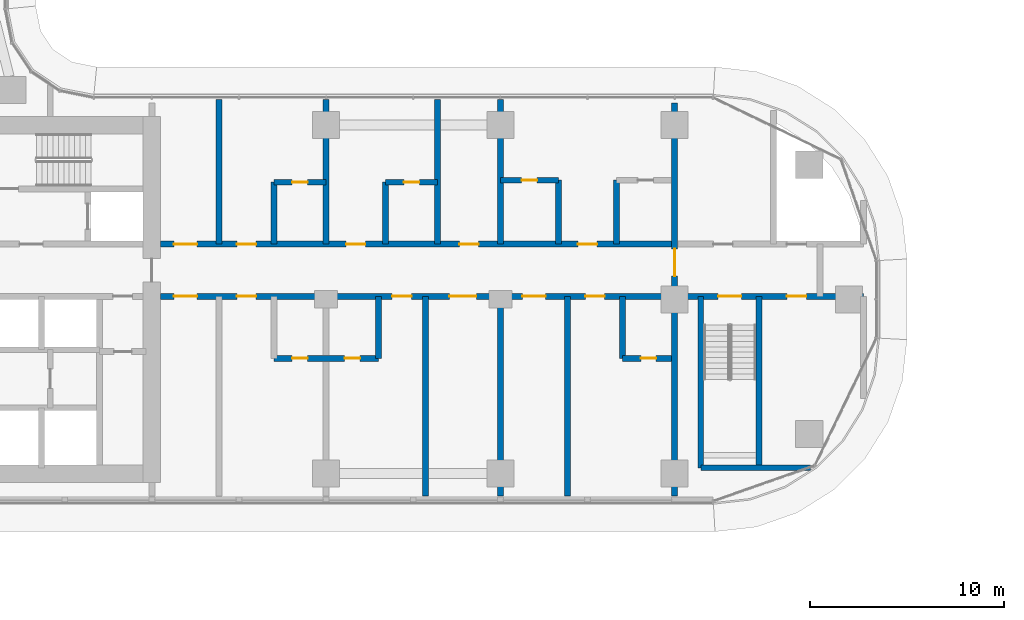
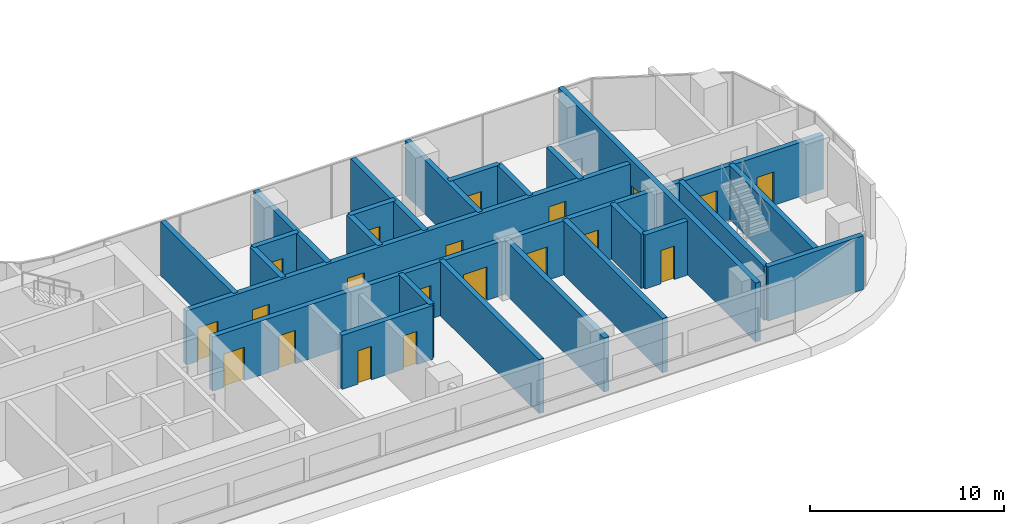
# One storey, part 18 of 36: 25 walls, 20 doors, 20 openings.
"""IFC4 building model written with IfcOpenShell, lengths in metres."""

from ifc_helpers import new_model, si_unit, direction, frame, frame_2d, origin, place, context, subcontext, project, spatial, rectangle, extrude, material, layer, layer_set, type_object, element, fill, save


model = new_model("IFC4")

# Units and contexts
model_context = context("Model", 3, precision=1e-05, world=origin(), true_north=direction((0.0, 1.0)))
body_context = subcontext(model_context, "Body", "Model", "MODEL_VIEW")
ifc_project = project(units=[si_unit("LENGTHUNIT", "METRE"), si_unit("AREAUNIT", "SQUARE_METRE"), si_unit("VOLUMEUNIT", "CUBIC_METRE"), si_unit("PLANEANGLEUNIT", "RADIAN"), si_unit("MASSUNIT", "GRAM", prefix="KILO")], contexts=[model_context])

# Site, building, storey
site_placement = place(None, origin())
site = spatial("IfcSite", under=ifc_project, at=site_placement, CompositionType="ELEMENT")
building_placement = place(site_placement, origin())
building = spatial("IfcBuilding", under=site, at=building_placement, Name="Ogive Portal Towers", CompositionType="ELEMENT")
storey_placement = place(building_placement, frame((0.0, 0.0, 70.5)))
storey = spatial("IfcBuildingStorey", under=building, at=storey_placement, Name="L16", CompositionType="ELEMENT", Elevation=70.5)

# Wall, opening, door
ifc_material_1 = material(Name="Concrete C60/75", Category="concrete")
ifc_layer_1 = layer(ifc_material_1, 0.300048828125)
ifc_layer_set_1 = layer_set([ifc_layer_1], Name="REVEAL WALL 300 C60")
wall_type_1 = type_object("IfcWallType", Name="REVEAL WALL 300 C60", PredefinedType="SHEAR", material=ifc_layer_set_1)
wall_1_placement = place(storey_placement, frame((85.5, 20.35009765625, 0.0), z_axis=(0.0, 0.0, 1.0), x_axis=(0.0, 1.0, 0.0)))
wall_1 = element("IfcWall", 1, at=wall_1_placement, inside=storey, type_object=wall_type_1, Name="Portal reveal wall L16", PredefinedType="SHEAR", context=body_context, shape_type="SweptSolid", body=[
    extrude(rectangle(XDim=20.2998046875, YDim=0.300048828125, at=frame_2d((10.14990234375, 0.0))), origin(), (0.0, 0.0, 1.0), 3.699951171875),
])
opening_1_placement = place(wall_1_placement, frame((11.35009765625, 0.0, 0.0)))
opening_1 = element("IfcOpeningElement", 2, at=opening_1_placement, cuts=wall_1, Name="Opening D05-066", PredefinedType="OPENING", context=body_context, shape_type="SweptSolid", body=[
    extrude(rectangle(XDim=1.39990234375, YDim=2.10009765625, at=frame_2d((0.699951171875, 1.050048828125))), frame((0.0, 0.16015625, 0.0), z_axis=(0.0, -1.0, 0.0), x_axis=(1.0, 0.0, 0.0)), (0.0, 0.0, 1.0), 0.320068359375),
])
ifc_material_2 = material(Name="Steel fire door", Category="steel")
door_type_1 = type_object("IfcDoorType", Name="DT-STAIR-1400x2100-FD90S", OperationType="SINGLE_SWING_LEFT", PredefinedType="DOOR", material=ifc_material_2)
door_1_placement = place(opening_1_placement, origin())
door_1 = element("IfcDoor", 3, at=door_1_placement, inside=storey, type_object=door_type_1, Name="Door D05-066", OperationType="SINGLE_SWING_RIGHT", OverallHeight=2.10009765625, OverallWidth=1.39990234375, PredefinedType="DOOR", context=body_context, shape_type="SweptSolid", body=[
    extrude(rectangle(XDim=1.39990234375, YDim=2.10009765625, at=frame_2d((0.699951171875, 1.050048828125))), frame((0.0, 0.02490234375, 0.0), z_axis=(0.0, -1.0, 0.0), x_axis=(1.0, 0.0, 0.0)), (0.0, 0.0, 1.0), 0.050048828125),
])
fill(opening_1, door_1)

# Wall
ifc_material_3 = material(Name="Concrete C50/60", Category="concrete")
ifc_layer_2 = layer(ifc_material_3, 0.300048828125)
ifc_layer_set_2 = layer_set([ifc_layer_2], Name="STAIR WALL 300 C50")
wall_type_2 = type_object("IfcWallType", Name="STAIR WALL 300 C50", PredefinedType="SHEAR", material=ifc_layer_set_2)
wall_2_placement = place(storey_placement, frame((86.85009765625, 21.800048828125, 0.0), z_axis=(0.0, 0.0, 1.0), x_axis=(1.0, 0.0, 0.0)))
element("IfcWall", 4, at=wall_2_placement, inside=storey, type_object=wall_type_2, Name="Stair wall ST-A4 L16", PredefinedType="SHEAR", context=body_context, shape_type="SweptSolid", body=[
    extrude(rectangle(XDim=5.664794921875, YDim=0.300048828125, at=frame_2d((2.83251953125, 0.0))), origin(), (0.0, 0.0, 1.0), 3.39990234375),
])

# Wall, openings, doors
wall_3_placement = place(storey_placement, frame((85.669921875, 30.64990234375, 0.0), z_axis=(0.0, 0.0, 1.0), x_axis=(1.0, 0.0, 0.0)))
wall_3 = element("IfcWall", 5, at=wall_3_placement, inside=storey, type_object=wall_type_2, Name="Stair wall ST-A4 L16", PredefinedType="SHEAR", context=body_context, shape_type="SweptSolid", body=[
    extrude(rectangle(XDim=9.580078125, YDim=0.300048828125, at=frame_2d((4.7900390625, 0.0))), origin(), (0.0, 0.0, 1.0), 3.39990234375),
])
opening_2_placement = place(wall_3_placement, frame((2.080078125, 0.0, 0.0)))
opening_2 = element("IfcOpeningElement", 6, at=opening_2_placement, cuts=wall_3, Name="Opening D05-061", PredefinedType="OPENING", context=body_context, shape_type="SweptSolid", body=[
    extrude(rectangle(XDim=1.199951171875, YDim=2.10009765625, at=frame_2d((0.60009765625, 1.050048828125))), frame((0.0, 0.16015625, 0.0), z_axis=(0.0, -1.0, 0.0), x_axis=(1.0, 0.0, 0.0)), (0.0, 0.0, 1.0), 0.320068359375),
])
opening_3_placement = place(wall_3_placement, frame((5.6298828125, 0.0, 0.0)))
opening_3 = element("IfcOpeningElement", 7, at=opening_3_placement, cuts=wall_3, Name="Opening D05-064", PredefinedType="OPENING", context=body_context, shape_type="SweptSolid", body=[
    extrude(rectangle(XDim=1.0, YDim=2.10009765625, at=frame_2d((0.5, 1.050048828125))), frame((0.0, 0.16015625, 0.0), z_axis=(0.0, -1.0, 0.0), x_axis=(1.0, 0.0, 0.0)), (0.0, 0.0, 1.0), 0.320068359375),
])
door_type_2 = type_object("IfcDoorType", Name="DT-SERVICE-1000x2100-FD90S", OperationType="SINGLE_SWING_LEFT", PredefinedType="DOOR", material=ifc_material_2)
door_2_placement = place(opening_3_placement, origin())
door_2 = element("IfcDoor", 8, at=door_2_placement, inside=storey, type_object=door_type_2, Name="Door D05-064", OperationType="SINGLE_SWING_LEFT", OverallHeight=2.10009765625, OverallWidth=1.0, PredefinedType="DOOR", context=body_context, shape_type="SweptSolid", body=[
    extrude(rectangle(XDim=1.0, YDim=2.10009765625, at=frame_2d((0.5, 1.050048828125))), frame((0.0, 0.02490234375, 0.0), z_axis=(0.0, -1.0, 0.0), x_axis=(1.0, 0.0, 0.0)), (0.0, 0.0, 1.0), 0.050048828125),
])
fill(opening_3, door_2)
door_type_3 = type_object("IfcDoorType", Name="DT-STAIR-1200x2100-FD90S", OperationType="SINGLE_SWING_LEFT", PredefinedType="DOOR", material=ifc_material_2)
door_3_placement = place(opening_2_placement, origin())
door_3 = element("IfcDoor", 9, at=door_3_placement, inside=storey, type_object=door_type_3, Name="Door D05-061", OperationType="SINGLE_SWING_LEFT", OverallHeight=2.10009765625, OverallWidth=1.199951171875, PredefinedType="DOOR", context=body_context, shape_type="SweptSolid", body=[
    extrude(rectangle(XDim=1.199951171875, YDim=2.10009765625, at=frame_2d((0.60009765625, 1.050048828125))), frame((0.0, 0.02490234375, 0.0), z_axis=(0.0, -1.0, 0.0), x_axis=(1.0, 0.0, 0.0)), (0.0, 0.0, 1.0), 0.050048828125),
])
fill(opening_2, door_3)

# Walls
for number, where, z_axis, x_axis, name in (
    (10, (86.85009765625, 21.800048828125, 0.0), (0.0, 0.0, 1.0), (0.0, 1.0, 0.0), "Stair wall ST-A4 L16"),
    (11, (89.85009765625, 21.800048828125, 0.0), (0.0, 0.0, 1.0), (0.0, 1.0, 0.0), "Stair wall ST-A4 L16"),
):
    element("IfcWall", number, at=place(storey_placement, frame(where, z_axis=z_axis, x_axis=x_axis)), inside=storey, type_object=wall_type_2, Name=name, PredefinedType="SHEAR", context=body_context, shape_type="SweptSolid", body=[
        extrude(rectangle(XDim=8.849853515625, YDim=0.300048828125, at=frame_2d((4.4248046875, 0.0))), origin(), (0.0, 0.0, 1.0), 3.39990234375),
    ])

# Wall, openings, doors
ifc_material_4 = material(Name="Gypsum board partition on steel studs", Category="steel")
ifc_layer_3 = layer(ifc_material_4, 0.300048828125)
ifc_layer_set_3 = layer_set([ifc_layer_3], Name="WT-PART-300-EI 120")
wall_type_3 = type_object("IfcWallType", Name="WT-PART-300-EI 120", PredefinedType="PARTITIONING", material=ifc_layer_set_3)
wall_4_placement = place(storey_placement, frame((58.949951171875, 30.64990234375, 0.0), z_axis=(0.0, 0.0, 1.0), x_axis=(1.0, 0.0, 0.0)))
wall_4 = element("IfcWall", 12, at=wall_4_placement, inside=storey, type_object=wall_type_3, Name="Wall L16:w004", PredefinedType="PARTITIONING", context=body_context, shape_type="SweptSolid", body=[
    extrude(rectangle(XDim=26.380126953125, YDim=0.300048828125, at=frame_2d((13.18994140625, 0.0))), origin(), (0.0, 0.0, 1.0), 3.39990234375),
])
opening_4_placement = place(wall_4_placement, frame((0.68505859375, 0.0, 0.0)))
opening_4 = element("IfcOpeningElement", 13, at=opening_4_placement, cuts=wall_4, Name="Opening D05-029", PredefinedType="OPENING", context=body_context, shape_type="SweptSolid", body=[
    extrude(rectangle(XDim=1.199951171875, YDim=2.10009765625, at=frame_2d((0.60009765625, 1.050048828125))), frame((0.0, 0.16015625, 0.0), z_axis=(0.0, -1.0, 0.0), x_axis=(1.0, 0.0, 0.0)), (0.0, 0.0, 1.0), 0.320068359375),
])
opening_5_placement = place(wall_4_placement, frame((3.93505859375, 0.0, 0.0)))
opening_5 = element("IfcOpeningElement", 14, at=opening_5_placement, cuts=wall_4, Name="Opening D05-031", PredefinedType="OPENING", context=body_context, shape_type="SweptSolid", body=[
    extrude(rectangle(XDim=1.0, YDim=2.10009765625, at=frame_2d((0.5, 1.050048828125))), frame((0.0, 0.16015625, 0.0), z_axis=(0.0, -1.0, 0.0), x_axis=(1.0, 0.0, 0.0)), (0.0, 0.0, 1.0), 0.320068359375),
])
opening_6_placement = place(wall_4_placement, frame((11.965087890625, 0.0, 0.0)))
opening_6 = element("IfcOpeningElement", 15, at=opening_6_placement, cuts=wall_4, Name="Opening D05-036", PredefinedType="OPENING", context=body_context, shape_type="SweptSolid", body=[
    extrude(rectangle(XDim=1.0, YDim=2.10009765625, at=frame_2d((0.5, 1.050048828125))), frame((0.0, 0.16015625, 0.0), z_axis=(0.0, -1.0, 0.0), x_axis=(1.0, 0.0, 0.0)), (0.0, 0.0, 1.0), 0.320068359375),
])
opening_7_placement = place(wall_4_placement, frame((14.9150390625, 0.0, 0.0)))
opening_7 = element("IfcOpeningElement", 16, at=opening_7_placement, cuts=wall_4, Name="Opening D05-037", PredefinedType="OPENING", context=body_context, shape_type="SweptSolid", body=[
    extrude(rectangle(XDim=1.39990234375, YDim=2.10009765625, at=frame_2d((0.699951171875, 1.050048828125))), frame((0.0, 0.16015625, 0.0), z_axis=(0.0, -1.0, 0.0), x_axis=(1.0, 0.0, 0.0)), (0.0, 0.0, 1.0), 0.320068359375),
])
opening_8_placement = place(wall_4_placement, frame((18.68505859375, 0.0, 0.0)))
opening_8 = element("IfcOpeningElement", 17, at=opening_8_placement, cuts=wall_4, Name="Opening D05-041", PredefinedType="OPENING", context=body_context, shape_type="SweptSolid", body=[
    extrude(rectangle(XDim=1.199951171875, YDim=2.10009765625, at=frame_2d((0.60009765625, 1.050048828125))), frame((0.0, 0.16015625, 0.0), z_axis=(0.0, -1.0, 0.0), x_axis=(1.0, 0.0, 0.0)), (0.0, 0.0, 1.0), 0.320068359375),
])
opening_9_placement = place(wall_4_placement, frame((21.93505859375, 0.0, 0.0)))
opening_9 = element("IfcOpeningElement", 18, at=opening_9_placement, cuts=wall_4, Name="Opening D05-043", PredefinedType="OPENING", context=body_context, shape_type="SweptSolid", body=[
    extrude(rectangle(XDim=1.0, YDim=2.10009765625, at=frame_2d((0.5, 1.050048828125))), frame((0.0, 0.16015625, 0.0), z_axis=(0.0, -1.0, 0.0), x_axis=(1.0, 0.0, 0.0)), (0.0, 0.0, 1.0), 0.320068359375),
])
door_type_4 = type_object("IfcDoorType", Name="DT-ENTRY-1000x2100-FD90S", OperationType="SINGLE_SWING_LEFT", PredefinedType="DOOR", material=ifc_material_2)
door_4_placement = place(opening_5_placement, origin())
door_4 = element("IfcDoor", 19, at=door_4_placement, inside=storey, type_object=door_type_4, Name="Door D05-031", OperationType="SINGLE_SWING_LEFT", OverallHeight=2.10009765625, OverallWidth=1.0, PredefinedType="DOOR", context=body_context, shape_type="SweptSolid", body=[
    extrude(rectangle(XDim=1.0, YDim=2.10009765625, at=frame_2d((0.5, 1.050048828125))), frame((0.0, 0.02490234375, 0.0), z_axis=(0.0, -1.0, 0.0), x_axis=(1.0, 0.0, 0.0)), (0.0, 0.0, 1.0), 0.050048828125),
])
fill(opening_5, door_4)
door_5_placement = place(opening_6_placement, origin())
door_5 = element("IfcDoor", 20, at=door_5_placement, inside=storey, type_object=door_type_4, Name="Door D05-036", OperationType="SINGLE_SWING_LEFT", OverallHeight=2.10009765625, OverallWidth=1.0, PredefinedType="DOOR", context=body_context, shape_type="SweptSolid", body=[
    extrude(rectangle(XDim=1.0, YDim=2.10009765625, at=frame_2d((0.5, 1.050048828125))), frame((0.0, 0.02490234375, 0.0), z_axis=(0.0, -1.0, 0.0), x_axis=(1.0, 0.0, 0.0)), (0.0, 0.0, 1.0), 0.050048828125),
])
fill(opening_6, door_5)
door_6_placement = place(opening_9_placement, origin())
door_6 = element("IfcDoor", 21, at=door_6_placement, inside=storey, type_object=door_type_4, Name="Door D05-043", OperationType="SINGLE_SWING_LEFT", OverallHeight=2.10009765625, OverallWidth=1.0, PredefinedType="DOOR", context=body_context, shape_type="SweptSolid", body=[
    extrude(rectangle(XDim=1.0, YDim=2.10009765625, at=frame_2d((0.5, 1.050048828125))), frame((0.0, 0.02490234375, 0.0), z_axis=(0.0, -1.0, 0.0), x_axis=(1.0, 0.0, 0.0)), (0.0, 0.0, 1.0), 0.050048828125),
])
fill(opening_9, door_6)
door_type_5 = type_object("IfcDoorType", Name="DT-ENTRY-1200x2100-FD90S", OperationType="SINGLE_SWING_LEFT", PredefinedType="DOOR", material=ifc_material_2)
door_7_placement = place(opening_4_placement, origin())
door_7 = element("IfcDoor", 22, at=door_7_placement, inside=storey, type_object=door_type_5, Name="Door D05-029", OperationType="SINGLE_SWING_LEFT", OverallHeight=2.10009765625, OverallWidth=1.199951171875, PredefinedType="DOOR", context=body_context, shape_type="SweptSolid", body=[
    extrude(rectangle(XDim=1.199951171875, YDim=2.10009765625, at=frame_2d((0.60009765625, 1.050048828125))), frame((0.0, 0.02490234375, 0.0), z_axis=(0.0, -1.0, 0.0), x_axis=(1.0, 0.0, 0.0)), (0.0, 0.0, 1.0), 0.050048828125),
])
fill(opening_4, door_7)
door_8_placement = place(opening_8_placement, origin())
door_8 = element("IfcDoor", 23, at=door_8_placement, inside=storey, type_object=door_type_5, Name="Door D05-041", OperationType="SINGLE_SWING_LEFT", OverallHeight=2.10009765625, OverallWidth=1.199951171875, PredefinedType="DOOR", context=body_context, shape_type="SweptSolid", body=[
    extrude(rectangle(XDim=1.199951171875, YDim=2.10009765625, at=frame_2d((0.60009765625, 1.050048828125))), frame((0.0, 0.02490234375, 0.0), z_axis=(0.0, -1.0, 0.0), x_axis=(1.0, 0.0, 0.0)), (0.0, 0.0, 1.0), 0.050048828125),
])
fill(opening_8, door_8)
door_type_6 = type_object("IfcDoorType", Name="DT-ENTRY-1400x2100-FD90S", OperationType="SINGLE_SWING_LEFT", PredefinedType="DOOR", material=ifc_material_2)
door_9_placement = place(opening_7_placement, origin())
door_9 = element("IfcDoor", 24, at=door_9_placement, inside=storey, type_object=door_type_6, Name="Door D05-037", OperationType="SINGLE_SWING_RIGHT", OverallHeight=2.10009765625, OverallWidth=1.39990234375, PredefinedType="DOOR", context=body_context, shape_type="SweptSolid", body=[
    extrude(rectangle(XDim=1.39990234375, YDim=2.10009765625, at=frame_2d((0.699951171875, 1.050048828125))), frame((0.0, 0.02490234375, 0.0), z_axis=(0.0, -1.0, 0.0), x_axis=(1.0, 0.0, 0.0)), (0.0, 0.0, 1.0), 0.050048828125),
])
fill(opening_7, door_9)

wall_5_placement = place(storey_placement, frame((58.949951171875, 33.35009765625, 0.0), z_axis=(0.0, 0.0, 1.0), x_axis=(1.0, 0.0, 0.0)))
wall_5 = element("IfcWall", 25, at=wall_5_placement, inside=storey, type_object=wall_type_3, Name="Wall L16:w006", PredefinedType="PARTITIONING", context=body_context, shape_type="SweptSolid", body=[
    extrude(rectangle(XDim=26.380126953125, YDim=0.300048828125, at=frame_2d((13.18994140625, 0.0))), origin(), (0.0, 0.0, 1.0), 3.39990234375),
])
opening_10_placement = place(wall_5_placement, frame((0.68505859375, 0.0, 0.0)))
opening_10 = element("IfcOpeningElement", 26, at=opening_10_placement, cuts=wall_5, Name="Opening D05-026", PredefinedType="OPENING", context=body_context, shape_type="SweptSolid", body=[
    extrude(rectangle(XDim=1.199951171875, YDim=2.10009765625, at=frame_2d((0.60009765625, 1.050048828125))), frame((0.0, 0.16015625, 0.0), z_axis=(0.0, -1.0, 0.0), x_axis=(1.0, 0.0, 0.0)), (0.0, 0.0, 1.0), 0.320068359375),
])
opening_11_placement = place(wall_5_placement, frame((3.93505859375, 0.0, 0.0)))
opening_11 = element("IfcOpeningElement", 27, at=opening_11_placement, cuts=wall_5, Name="Opening D05-028", PredefinedType="OPENING", context=body_context, shape_type="SweptSolid", body=[
    extrude(rectangle(XDim=1.0, YDim=2.10009765625, at=frame_2d((0.5, 1.050048828125))), frame((0.0, 0.16015625, 0.0), z_axis=(0.0, -1.0, 0.0), x_axis=(1.0, 0.0, 0.0)), (0.0, 0.0, 1.0), 0.320068359375),
])
opening_12_placement = place(wall_5_placement, frame((9.580078125, 0.0, 0.0)))
opening_12 = element("IfcOpeningElement", 28, at=opening_12_placement, cuts=wall_5, Name="Opening D05-033", PredefinedType="OPENING", context=body_context, shape_type="SweptSolid", body=[
    extrude(rectangle(XDim=1.0, YDim=2.10009765625, at=frame_2d((0.5, 1.050048828125))), frame((0.0, 0.16015625, 0.0), z_axis=(0.0, -1.0, 0.0), x_axis=(1.0, 0.0, 0.0)), (0.0, 0.0, 1.0), 0.320068359375),
])
opening_13_placement = place(wall_5_placement, frame((15.429931640625, 0.0, 0.0)))
opening_13 = element("IfcOpeningElement", 29, at=opening_13_placement, cuts=wall_5, Name="Opening D05-034", PredefinedType="OPENING", context=body_context, shape_type="SweptSolid", body=[
    extrude(rectangle(XDim=1.0, YDim=2.10009765625, at=frame_2d((0.5, 1.050048828125))), frame((0.0, 0.16015625, 0.0), z_axis=(0.0, -1.0, 0.0), x_axis=(1.0, 0.0, 0.0)), (0.0, 0.0, 1.0), 0.320068359375),
])
opening_14_placement = place(wall_5_placement, frame((21.550048828125, 0.0, 0.0)))
opening_14 = element("IfcOpeningElement", 30, at=opening_14_placement, cuts=wall_5, Name="Opening D05-040", PredefinedType="OPENING", context=body_context, shape_type="SweptSolid", body=[
    extrude(rectangle(XDim=1.0, YDim=2.39990234375, at=frame_2d((0.5, 1.199951171875))), frame((0.0, 0.16015625, 0.0), z_axis=(0.0, -1.0, 0.0), x_axis=(1.0, 0.0, 0.0)), (0.0, 0.0, 1.0), 0.320068359375),
])
door_10_placement = place(opening_11_placement, origin())
door_10 = element("IfcDoor", 31, at=door_10_placement, inside=storey, type_object=door_type_4, Name="Door D05-028", OperationType="SINGLE_SWING_LEFT", OverallHeight=2.10009765625, OverallWidth=1.0, PredefinedType="DOOR", context=body_context, shape_type="SweptSolid", body=[
    extrude(rectangle(XDim=1.0, YDim=2.10009765625, at=frame_2d((0.5, 1.050048828125))), frame((0.0, 0.02490234375, 0.0), z_axis=(0.0, -1.0, 0.0), x_axis=(1.0, 0.0, 0.0)), (0.0, 0.0, 1.0), 0.050048828125),
])
fill(opening_11, door_10)
door_11_placement = place(opening_12_placement, origin())
door_11 = element("IfcDoor", 32, at=door_11_placement, inside=storey, type_object=door_type_4, Name="Door D05-033", OperationType="SINGLE_SWING_LEFT", OverallHeight=2.10009765625, OverallWidth=1.0, PredefinedType="DOOR", context=body_context, shape_type="SweptSolid", body=[
    extrude(rectangle(XDim=1.0, YDim=2.10009765625, at=frame_2d((0.5, 1.050048828125))), frame((0.0, 0.02490234375, 0.0), z_axis=(0.0, -1.0, 0.0), x_axis=(1.0, 0.0, 0.0)), (0.0, 0.0, 1.0), 0.050048828125),
])
fill(opening_12, door_11)
door_12_placement = place(opening_13_placement, origin())
door_12 = element("IfcDoor", 33, at=door_12_placement, inside=storey, type_object=door_type_4, Name="Door D05-034", OperationType="SINGLE_SWING_RIGHT", OverallHeight=2.10009765625, OverallWidth=1.0, PredefinedType="DOOR", context=body_context, shape_type="SweptSolid", body=[
    extrude(rectangle(XDim=1.0, YDim=2.10009765625, at=frame_2d((0.5, 1.050048828125))), frame((0.0, 0.02490234375, 0.0), z_axis=(0.0, -1.0, 0.0), x_axis=(1.0, 0.0, 0.0)), (0.0, 0.0, 1.0), 0.050048828125),
])
fill(opening_13, door_12)
door_type_7 = type_object("IfcDoorType", Name="DT-ENTRY-1000x2400-FD90S", OperationType="SINGLE_SWING_LEFT", PredefinedType="DOOR", material=ifc_material_2)
door_13_placement = place(opening_14_placement, origin())
door_13 = element("IfcDoor", 34, at=door_13_placement, inside=storey, type_object=door_type_7, Name="Door D05-040", OperationType="SINGLE_SWING_LEFT", OverallHeight=2.39990234375, OverallWidth=1.0, PredefinedType="DOOR", context=body_context, shape_type="SweptSolid", body=[
    extrude(rectangle(XDim=1.0, YDim=2.39990234375, at=frame_2d((0.5, 1.199951171875))), frame((0.0, 0.02490234375, 0.0), z_axis=(0.0, -1.0, 0.0), x_axis=(1.0, 0.0, 0.0)), (0.0, 0.0, 1.0), 0.050048828125),
])
fill(opening_14, door_13)
door_14_placement = place(opening_10_placement, origin())
door_14 = element("IfcDoor", 35, at=door_14_placement, inside=storey, type_object=door_type_5, Name="Door D05-026", OperationType="SINGLE_SWING_LEFT", OverallHeight=2.10009765625, OverallWidth=1.199951171875, PredefinedType="DOOR", context=body_context, shape_type="SweptSolid", body=[
    extrude(rectangle(XDim=1.199951171875, YDim=2.10009765625, at=frame_2d((0.60009765625, 1.050048828125))), frame((0.0, 0.02490234375, 0.0), z_axis=(0.0, -1.0, 0.0), x_axis=(1.0, 0.0, 0.0)), (0.0, 0.0, 1.0), 0.050048828125),
])
fill(opening_10, door_14)

ifc_layer_4 = layer(ifc_material_4, 0.300048828125)
ifc_layer_set_4 = layer_set([ifc_layer_4], Name="WT-PART-300-EI 60")
wall_type_4 = type_object("IfcWallType", Name="WT-PART-300-EI 60", PredefinedType="PARTITIONING", material=ifc_layer_set_4)
wall_6_placement = place(storey_placement, frame((64.800048828125, 27.449951171875, 0.0), z_axis=(0.0, 0.0, 1.0), x_axis=(1.0, 0.0, 0.0)))
wall_6 = element("IfcWall", 36, at=wall_6_placement, inside=storey, type_object=wall_type_4, Name="Wall L16:w002", PredefinedType="PARTITIONING", context=body_context, shape_type="SweptSolid", body=[
    extrude(rectangle(XDim=5.39990234375, YDim=0.300048828125, at=frame_2d((2.699951171875, 0.0))), origin(), (0.0, 0.0, 1.0), 3.39990234375),
])
opening_15_placement = place(wall_6_placement, frame((0.949951171875, 0.0, 0.0)))
opening_15 = element("IfcOpeningElement", 37, at=opening_15_placement, cuts=wall_6, Name="Opening D05-030", PredefinedType="OPENING", context=body_context, shape_type="SweptSolid", body=[
    extrude(rectangle(XDim=0.800048828125, YDim=2.10009765625, at=frame_2d((0.39990234375, 1.050048828125))), frame((0.0, 0.16015625, 0.0), z_axis=(0.0, -1.0, 0.0), x_axis=(1.0, 0.0, 0.0)), (0.0, 0.0, 1.0), 0.320068359375),
])
opening_16_placement = place(wall_6_placement, frame((3.64990234375, 0.0, 0.0)))
opening_16 = element("IfcOpeningElement", 38, at=opening_16_placement, cuts=wall_6, Name="Opening D05-035", PredefinedType="OPENING", context=body_context, shape_type="SweptSolid", body=[
    extrude(rectangle(XDim=0.800048828125, YDim=2.10009765625, at=frame_2d((0.39990234375, 1.050048828125))), frame((0.0, 0.16015625, 0.0), z_axis=(0.0, -1.0, 0.0), x_axis=(1.0, 0.0, 0.0)), (0.0, 0.0, 1.0), 0.320068359375),
])
door_type_8 = type_object("IfcDoorType", Name="DT-BATH-800x2100-FD60S", OperationType="SINGLE_SWING_LEFT", PredefinedType="DOOR", material=ifc_material_2)
door_15_placement = place(opening_15_placement, origin())
door_15 = element("IfcDoor", 39, at=door_15_placement, inside=storey, type_object=door_type_8, Name="Door D05-030", OperationType="SINGLE_SWING_RIGHT", OverallHeight=2.10009765625, OverallWidth=0.800048828125, PredefinedType="DOOR", context=body_context, shape_type="SweptSolid", body=[
    extrude(rectangle(XDim=0.800048828125, YDim=2.10009765625, at=frame_2d((0.39990234375, 1.050048828125))), frame((0.0, 0.02490234375, 0.0), z_axis=(0.0, -1.0, 0.0), x_axis=(1.0, 0.0, 0.0)), (0.0, 0.0, 1.0), 0.050048828125),
])
fill(opening_15, door_15)
door_16_placement = place(opening_16_placement, origin())
door_16 = element("IfcDoor", 40, at=door_16_placement, inside=storey, type_object=door_type_8, Name="Door D05-035", OperationType="SINGLE_SWING_LEFT", OverallHeight=2.10009765625, OverallWidth=0.800048828125, PredefinedType="DOOR", context=body_context, shape_type="SweptSolid", body=[
    extrude(rectangle(XDim=0.800048828125, YDim=2.10009765625, at=frame_2d((0.39990234375, 1.050048828125))), frame((0.0, 0.02490234375, 0.0), z_axis=(0.0, -1.0, 0.0), x_axis=(1.0, 0.0, 0.0)), (0.0, 0.0, 1.0), 0.050048828125),
])
fill(opening_16, door_16)

# Wall, opening, door
wall_7_placement = place(storey_placement, frame((82.800048828125, 27.449951171875, 0.0), z_axis=(0.0, 0.0, 1.0), x_axis=(1.0, 0.0, 0.0)))
wall_7 = element("IfcWall", 41, at=wall_7_placement, inside=storey, type_object=wall_type_4, Name="Wall L16:w003", PredefinedType="PARTITIONING", context=body_context, shape_type="SweptSolid", body=[
    extrude(rectangle(XDim=2.530029296875, YDim=0.300048828125, at=frame_2d((1.26513671875, 0.0))), origin(), (0.0, 0.0, 1.0), 3.39990234375),
])
opening_17_placement = place(wall_7_placement, frame((0.949951171875, 0.0, 0.0)))
opening_17 = element("IfcOpeningElement", 42, at=opening_17_placement, cuts=wall_7, Name="Opening D05-042", PredefinedType="OPENING", context=body_context, shape_type="SweptSolid", body=[
    extrude(rectangle(XDim=0.800048828125, YDim=2.10009765625, at=frame_2d((0.39990234375, 1.050048828125))), frame((0.0, 0.16015625, 0.0), z_axis=(0.0, -1.0, 0.0), x_axis=(1.0, 0.0, 0.0)), (0.0, 0.0, 1.0), 0.320068359375),
])
door_17_placement = place(opening_17_placement, origin())
door_17 = element("IfcDoor", 43, at=door_17_placement, inside=storey, type_object=door_type_8, Name="Door D05-042", OperationType="SINGLE_SWING_RIGHT", OverallHeight=2.10009765625, OverallWidth=0.800048828125, PredefinedType="DOOR", context=body_context, shape_type="SweptSolid", body=[
    extrude(rectangle(XDim=0.800048828125, YDim=2.10009765625, at=frame_2d((0.39990234375, 1.050048828125))), frame((0.0, 0.02490234375, 0.0), z_axis=(0.0, -1.0, 0.0), x_axis=(1.0, 0.0, 0.0)), (0.0, 0.0, 1.0), 0.050048828125),
])
fill(opening_17, door_17)

wall_8_placement = place(storey_placement, frame((64.800048828125, 36.550048828125, 0.0), z_axis=(0.0, 0.0, 1.0), x_axis=(1.0, 0.0, 0.0)))
wall_8 = element("IfcWall", 44, at=wall_8_placement, inside=storey, type_object=wall_type_4, Name="Wall L16:w008", PredefinedType="PARTITIONING", context=body_context, shape_type="SweptSolid", body=[
    extrude(rectangle(XDim=2.699951171875, YDim=0.300048828125, at=frame_2d((1.35009765625, 0.0))), origin(), (0.0, 0.0, 1.0), 3.39990234375),
])
opening_18_placement = place(wall_8_placement, frame((0.949951171875, 0.0, 0.0)))
opening_18 = element("IfcOpeningElement", 45, at=opening_18_placement, cuts=wall_8, Name="Opening D05-027", PredefinedType="OPENING", context=body_context, shape_type="SweptSolid", body=[
    extrude(rectangle(XDim=0.800048828125, YDim=2.10009765625, at=frame_2d((0.39990234375, 1.050048828125))), frame((0.0, 0.16015625, 0.0), z_axis=(0.0, -1.0, 0.0), x_axis=(1.0, 0.0, 0.0)), (0.0, 0.0, 1.0), 0.320068359375),
])
door_18_placement = place(opening_18_placement, origin())
door_18 = element("IfcDoor", 46, at=door_18_placement, inside=storey, type_object=door_type_8, Name="Door D05-027", OperationType="SINGLE_SWING_RIGHT", OverallHeight=2.10009765625, OverallWidth=0.800048828125, PredefinedType="DOOR", context=body_context, shape_type="SweptSolid", body=[
    extrude(rectangle(XDim=0.800048828125, YDim=2.10009765625, at=frame_2d((0.39990234375, 1.050048828125))), frame((0.0, 0.02490234375, 0.0), z_axis=(0.0, -1.0, 0.0), x_axis=(1.0, 0.0, 0.0)), (0.0, 0.0, 1.0), 0.050048828125),
])
fill(opening_18, door_18)

wall_9_placement = place(storey_placement, frame((70.56005859375, 36.550048828125, 0.0), z_axis=(0.0, 0.0, 1.0), x_axis=(1.0, 0.0, 0.0)))
wall_9 = element("IfcWall", 47, at=wall_9_placement, inside=storey, type_object=wall_type_4, Name="Wall L16:w009", PredefinedType="PARTITIONING", context=body_context, shape_type="SweptSolid", body=[
    extrude(rectangle(XDim=2.699951171875, YDim=0.300048828125, at=frame_2d((1.35009765625, 0.0))), origin(), (0.0, 0.0, 1.0), 3.39990234375),
])
opening_19_placement = place(wall_9_placement, frame((0.949951171875, 0.0, 0.0)))
opening_19 = element("IfcOpeningElement", 48, at=opening_19_placement, cuts=wall_9, Name="Opening D05-032", PredefinedType="OPENING", context=body_context, shape_type="SweptSolid", body=[
    extrude(rectangle(XDim=0.800048828125, YDim=2.10009765625, at=frame_2d((0.39990234375, 1.050048828125))), frame((0.0, 0.16015625, 0.0), z_axis=(0.0, -1.0, 0.0), x_axis=(1.0, 0.0, 0.0)), (0.0, 0.0, 1.0), 0.320068359375),
])
door_19_placement = place(opening_19_placement, origin())
door_19 = element("IfcDoor", 49, at=door_19_placement, inside=storey, type_object=door_type_8, Name="Door D05-032", OperationType="SINGLE_SWING_LEFT", OverallHeight=2.10009765625, OverallWidth=0.800048828125, PredefinedType="DOOR", context=body_context, shape_type="SweptSolid", body=[
    extrude(rectangle(XDim=0.800048828125, YDim=2.10009765625, at=frame_2d((0.39990234375, 1.050048828125))), frame((0.0, 0.02490234375, 0.0), z_axis=(0.0, -1.0, 0.0), x_axis=(1.0, 0.0, 0.0)), (0.0, 0.0, 1.0), 0.050048828125),
])
fill(opening_19, door_19)

wall_10_placement = place(storey_placement, frame((76.5, 36.64990234375, 0.0), z_axis=(0.0, 0.0, 1.0), x_axis=(1.0, 0.0, 0.0)))
wall_10 = element("IfcWall", 50, at=wall_10_placement, inside=storey, type_object=wall_type_4, Name="Wall L16:w010", PredefinedType="PARTITIONING", context=body_context, shape_type="SweptSolid", body=[
    extrude(rectangle(XDim=3.0, YDim=0.300048828125, at=frame_2d((1.5, 0.0))), origin(), (0.0, 0.0, 1.0), 3.39990234375),
])
opening_20_placement = place(wall_10_placement, frame((1.10009765625, 0.0, 0.0)))
opening_20 = element("IfcOpeningElement", 51, at=opening_20_placement, cuts=wall_10, Name="Opening D05-038", PredefinedType="OPENING", context=body_context, shape_type="SweptSolid", body=[
    extrude(rectangle(XDim=0.800048828125, YDim=2.10009765625, at=frame_2d((0.39990234375, 1.050048828125))), frame((0.0, 0.16015625, 0.0), z_axis=(0.0, -1.0, 0.0), x_axis=(1.0, 0.0, 0.0)), (0.0, 0.0, 1.0), 0.320068359375),
])
door_20_placement = place(opening_20_placement, origin())
door_20 = element("IfcDoor", 52, at=door_20_placement, inside=storey, type_object=door_type_8, Name="Door D05-038", OperationType="SINGLE_SWING_LEFT", OverallHeight=2.10009765625, OverallWidth=0.800048828125, PredefinedType="DOOR", context=body_context, shape_type="SweptSolid", body=[
    extrude(rectangle(XDim=0.800048828125, YDim=2.10009765625, at=frame_2d((0.39990234375, 1.050048828125))), frame((0.0, 0.02490234375, 0.0), z_axis=(0.0, -1.0, 0.0), x_axis=(1.0, 0.0, 0.0)), (0.0, 0.0, 1.0), 0.050048828125),
])
fill(opening_20, door_20)

# Walls
wall_11_placement = place(storey_placement, frame((61.969970703125, 33.35009765625, 0.0), z_axis=(0.0, 0.0, 1.0), x_axis=(0.0, 1.0, 0.0)))
element("IfcWall", 53, at=wall_11_placement, inside=storey, type_object=wall_type_4, Name="Wall L16:w046", PredefinedType="PARTITIONING", context=body_context, shape_type="SweptSolid", body=[
    extrude(rectangle(XDim=7.47998046875, YDim=0.300048828125, at=frame_2d((3.739990234375, 0.0))), origin(), (0.0, 0.0, 1.0), 3.39990234375),
])
wall_12_placement = place(storey_placement, frame((64.800048828125, 33.35009765625, 0.0), z_axis=(0.0, 0.0, 1.0), x_axis=(0.0, 1.0, 0.0)))
element("IfcWall", 54, at=wall_12_placement, inside=storey, type_object=wall_type_4, Name="Wall L16:w048", PredefinedType="PARTITIONING", context=body_context, shape_type="SweptSolid", body=[
    extrude(rectangle(XDim=3.199951171875, YDim=0.300048828125, at=frame_2d((1.60009765625, 0.0))), origin(), (0.0, 0.0, 1.0), 3.39990234375),
])
wall_13_placement = place(storey_placement, frame((67.5, 33.35009765625, 0.0), z_axis=(0.0, 0.0, 1.0), x_axis=(0.0, 1.0, 0.0)))
element("IfcWall", 55, at=wall_13_placement, inside=storey, type_object=wall_type_4, Name="Wall L16:w050", PredefinedType="PARTITIONING", context=body_context, shape_type="SweptSolid", body=[
    extrude(rectangle(XDim=7.47998046875, YDim=0.300048828125, at=frame_2d((3.739990234375, 0.0))), origin(), (0.0, 0.0, 1.0), 3.39990234375),
])
for number, where, z_axis, x_axis, name in (
    (56, (70.199951171875, 27.449951171875, 0.0), (0.0, 0.0, 1.0), (0.0, 1.0, 0.0), "Wall L16:w051"),
    (57, (70.56005859375, 33.35009765625, 0.0), (0.0, 0.0, 1.0), (0.0, 1.0, 0.0), "Wall L16:w052"),
):
    element("IfcWall", number, at=place(storey_placement, frame(where, z_axis=z_axis, x_axis=x_axis)), inside=storey, type_object=wall_type_4, Name=name, PredefinedType="PARTITIONING", context=body_context, shape_type="SweptSolid", body=[
        extrude(rectangle(XDim=3.199951171875, YDim=0.300048828125, at=frame_2d((1.60009765625, 0.0))), origin(), (0.0, 0.0, 1.0), 3.39990234375),
    ])
wall_14_placement = place(storey_placement, frame((72.6298828125, 20.35009765625, 0.0), z_axis=(0.0, 0.0, 1.0), x_axis=(0.0, 1.0, 0.0)))
element("IfcWall", 58, at=wall_14_placement, inside=storey, type_object=wall_type_4, Name="Wall L16:w053", PredefinedType="PARTITIONING", context=body_context, shape_type="SweptSolid", body=[
    extrude(rectangle(XDim=10.2998046875, YDim=0.300048828125, at=frame_2d((5.14990234375, 0.0))), origin(), (0.0, 0.0, 1.0), 3.39990234375),
])
wall_15_placement = place(storey_placement, frame((73.260009765625, 33.35009765625, 0.0), z_axis=(0.0, 0.0, 1.0), x_axis=(0.0, 1.0, 0.0)))
element("IfcWall", 59, at=wall_15_placement, inside=storey, type_object=wall_type_4, Name="Wall L16:w054", PredefinedType="PARTITIONING", context=body_context, shape_type="SweptSolid", body=[
    extrude(rectangle(XDim=7.47998046875, YDim=0.300048828125, at=frame_2d((3.739990234375, 0.0))), origin(), (0.0, 0.0, 1.0), 3.39990234375),
])
wall_16_placement = place(storey_placement, frame((76.5, 20.35009765625, 0.0), z_axis=(0.0, 0.0, 1.0), x_axis=(0.0, 1.0, 0.0)))
element("IfcWall", 60, at=wall_16_placement, inside=storey, type_object=wall_type_4, Name="Wall L16:w055", PredefinedType="PARTITIONING", context=body_context, shape_type="SweptSolid", body=[
    extrude(rectangle(XDim=10.2998046875, YDim=0.300048828125, at=frame_2d((5.14990234375, 0.0))), origin(), (0.0, 0.0, 1.0), 3.39990234375),
])
wall_17_placement = place(storey_placement, frame((76.5, 33.35009765625, 0.0), z_axis=(0.0, 0.0, 1.0), x_axis=(0.0, 1.0, 0.0)))
element("IfcWall", 61, at=wall_17_placement, inside=storey, type_object=wall_type_4, Name="Wall L16:w056", PredefinedType="PARTITIONING", context=body_context, shape_type="SweptSolid", body=[
    extrude(rectangle(XDim=7.47998046875, YDim=0.300048828125, at=frame_2d((3.739990234375, 0.0))), origin(), (0.0, 0.0, 1.0), 3.39990234375),
])
wall_18_placement = place(storey_placement, frame((79.5, 33.35009765625, 0.0), z_axis=(0.0, 0.0, 1.0), x_axis=(0.0, 1.0, 0.0)))
element("IfcWall", 62, at=wall_18_placement, inside=storey, type_object=wall_type_4, Name="Wall L16:w057", PredefinedType="PARTITIONING", context=body_context, shape_type="SweptSolid", body=[
    extrude(rectangle(XDim=3.2998046875, YDim=0.300048828125, at=frame_2d((1.64990234375, 0.0))), origin(), (0.0, 0.0, 1.0), 3.39990234375),
])
wall_19_placement = place(storey_placement, frame((79.969970703125, 20.35009765625, 0.0), z_axis=(0.0, 0.0, 1.0), x_axis=(0.0, 1.0, 0.0)))
element("IfcWall", 63, at=wall_19_placement, inside=storey, type_object=wall_type_4, Name="Wall L16:w058", PredefinedType="PARTITIONING", context=body_context, shape_type="SweptSolid", body=[
    extrude(rectangle(XDim=10.2998046875, YDim=0.300048828125, at=frame_2d((5.14990234375, 0.0))), origin(), (0.0, 0.0, 1.0), 3.39990234375),
])
wall_20_placement = place(storey_placement, frame((82.5, 33.35009765625, 0.0), z_axis=(0.0, 0.0, 1.0), x_axis=(0.0, 1.0, 0.0)))
element("IfcWall", 64, at=wall_20_placement, inside=storey, type_object=wall_type_4, Name="Wall L16:w059", PredefinedType="PARTITIONING", context=body_context, shape_type="SweptSolid", body=[
    extrude(rectangle(XDim=3.2998046875, YDim=0.300048828125, at=frame_2d((1.64990234375, 0.0))), origin(), (0.0, 0.0, 1.0), 3.39990234375),
])
wall_21_placement = place(storey_placement, frame((82.800048828125, 27.449951171875, 0.0), z_axis=(0.0, 0.0, 1.0), x_axis=(0.0, 1.0, 0.0)))
element("IfcWall", 65, at=wall_21_placement, inside=storey, type_object=wall_type_4, Name="Wall L16:w060", PredefinedType="PARTITIONING", context=body_context, shape_type="SweptSolid", body=[
    extrude(rectangle(XDim=3.199951171875, YDim=0.300048828125, at=frame_2d((1.60009765625, 0.0))), origin(), (0.0, 0.0, 1.0), 3.39990234375),
])

save(model, "model.ifc")
